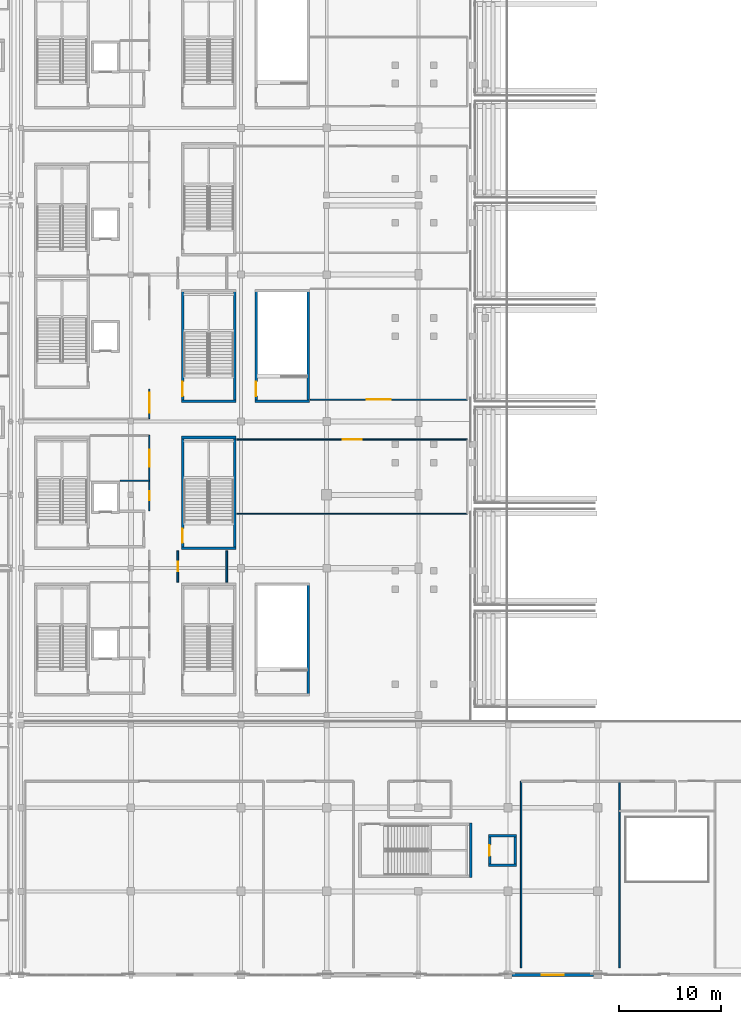
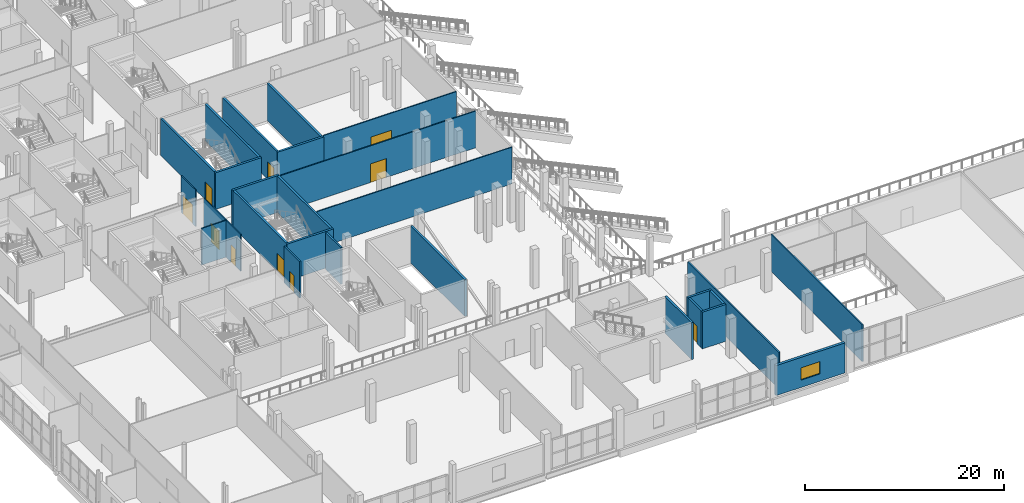
# One storey, part 72 of 129: 28 walls, 10 doors, 1 window, 11 openings.
"""IFC4 building model written with IfcOpenShell, lengths in metres."""

import ifcopenshell
import ifcopenshell.guid

model = None  # the IFC model being written
_history = None  # IfcOwnerHistory: only IFC2X3 demands one
_inside = {}  # id of a spatial element -> (the spatial element, [elements in it])
_under = {}  # id of a project, library or spatial element -> (it, [spatial elements below it])
_declared = {}  # id of a project -> (the project, [libraries it declares])
_typed = {}  # id of a type object -> (the type object, [elements of that type])
_made_of = {}  # id of a material, layer set ... -> (it, [elements and type objects made of it])


def new_model(schema):
    """Start an empty IFC model of exactly this schema.

    Asked for "IFC4X3", IfcOpenShell would pick the latest addendum, in which some entities
    have other attributes; the version numbers below select the first issue.
    IFC2X3 requires an IfcOwnerHistory on every rooted entity: one is made here for all.
    """
    global model, _history
    if schema == "IFC4X3":
        model = ifcopenshell.file(schema_version=(4, 3, 0, 0))
    else:
        model = ifcopenshell.file(schema=schema)
    _inside.clear()
    _under.clear()
    _declared.clear()
    _typed.clear()
    _made_of.clear()
    _history = None
    if model.schema == "IFC2X3":
        org = make("IfcOrganization", Name="unknown")
        user = make(
            "IfcPersonAndOrganization",
            ThePerson=make("IfcPerson", FamilyName="unknown"),
            TheOrganization=org,
        )
        app = make(
            "IfcApplication",
            ApplicationDeveloper=org,
            Version="unknown",
            ApplicationFullName="unknown",
            ApplicationIdentifier="unknown",
        )
        _history = make(
            "IfcOwnerHistory",
            OwningUser=user,
            OwningApplication=app,
            ChangeAction="ADDED",
            CreationDate=0,
        )
    return model


def make(cls, **values):
    """One entity of the class cls with the attributes given. An attribute that is None is left unset."""
    return model.create_entity(
        cls, **{name: value for name, value in values.items() if value is not None}
    )


def rooted(cls, **values):
    """An entity with a GlobalId (a new one), such as an element, a storey or a relation."""
    return make(cls, GlobalId=ifcopenshell.guid.new(), OwnerHistory=_history, **values)


def si_unit(unit_type, name, prefix=None):
    """IfcSIUnit, for example si_unit("LENGTHUNIT", "METRE", prefix="MILLI")."""
    return make("IfcSIUnit", UnitType=unit_type, Prefix=prefix, Name=name)


def assignment(units):
    """IfcUnitAssignment: the units of a project."""
    return None if units is None else make("IfcUnitAssignment", Units=units)


def point(xyz):
    """IfcCartesianPoint."""
    return None if xyz is None else make("IfcCartesianPoint", Coordinates=xyz)


def direction(xyz):
    """IfcDirection."""
    return None if xyz is None else make("IfcDirection", DirectionRatios=xyz)


def frame(location, z_axis=None, x_axis=None):
    """IfcAxis2Placement3D, a coordinate frame: its origin and axes. An axis left out is left unset."""
    return make(
        "IfcAxis2Placement3D",
        Location=point(location),
        Axis=direction(z_axis),
        RefDirection=direction(x_axis),
    )


def frame_2d(location, x_axis=None):
    """IfcAxis2Placement2D, a coordinate frame in the plane: its origin and x axis."""
    return make(
        "IfcAxis2Placement2D", Location=point(location), RefDirection=direction(x_axis)
    )


def origin():
    """The frame at (0, 0, 0) with its axes left unset."""
    return frame((0.0, 0.0, 0.0))


def place(relative_to, where):
    """IfcLocalPlacement: puts the frame where relative to a parent placement (None: the world)."""
    return make(
        "IfcLocalPlacement", PlacementRelTo=relative_to, RelativePlacement=where
    )


def context(
    kind, dimensions, precision=None, world=None, true_north=None, identifier=None
):
    """IfcGeometricRepresentationContext, for example the 3D "Model" context."""
    return make(
        "IfcGeometricRepresentationContext",
        ContextIdentifier=identifier,
        ContextType=kind,
        CoordinateSpaceDimension=dimensions,
        Precision=precision,
        WorldCoordinateSystem=world,
        TrueNorth=true_north,
    )


def subcontext(parent, identifier, kind, view, scale=None):
    """IfcGeometricRepresentationSubContext, for example "Body" below "Model"."""
    return make(
        "IfcGeometricRepresentationSubContext",
        ContextIdentifier=identifier,
        ContextType=kind,
        ParentContext=parent,
        TargetScale=scale,
        TargetView=view,
    )


def project(units=None, contexts=None):
    """IfcProject with its units and contexts."""
    return rooted(
        "IfcProject",
        Name="project",
        RepresentationContexts=contexts,
        UnitsInContext=assignment(units),
    )


def spatial(cls, under=None, at=None, **own):
    """A site, building, storey or space (cls), placed at a placement, below another one or the project."""
    s = rooted(cls, ObjectPlacement=at, **own)
    if under is not None:
        _under.setdefault(under.id(), (under, []))[1].append(s)
    return s


def profile(cls, at=None, kind="AREA", **sizes):
    """A parametric profile (cls). Its sizes go by their IFC names, for example OverallWidth=200.0."""
    return make(cls, ProfileType=kind, Position=at, **sizes)


def rectangle(**sizes):
    """IfcRectangleProfileDef."""
    return profile("IfcRectangleProfileDef", **sizes)


def extrude(swept, where, along, depth):
    """IfcExtrudedAreaSolid: the profile swept, set in the frame where, extruded along a direction by depth."""
    return make(
        "IfcExtrudedAreaSolid",
        SweptArea=swept,
        Position=where,
        ExtrudedDirection=direction(along),
        Depth=depth,
    )


def shape(context_of_items, identifier, shape_type, items):
    """IfcShapeRepresentation: the items that make up one representation, for example the "Body"."""
    return make(
        "IfcShapeRepresentation",
        ContextOfItems=context_of_items,
        RepresentationIdentifier=identifier,
        RepresentationType=shape_type,
        Items=items,
    )


def material(Name=None, Category=None):
    """IfcMaterial."""
    return make("IfcMaterial", Name=Name, Category=Category)


def layer(
    of_material, thickness, ventilated=None, Name=None, Category=None, Priority=None
):
    """IfcMaterialLayer: one layer of a wall or slab, of a material (None: an air gap)."""
    return make(
        "IfcMaterialLayer",
        Material=of_material,
        LayerThickness=thickness,
        IsVentilated=ventilated,
        Name=Name,
        Category=Category,
        Priority=Priority,
    )


def layer_set(layers, Name=None):
    """IfcMaterialLayerSet."""
    return make("IfcMaterialLayerSet", MaterialLayers=layers, LayerSetName=Name)


def made_of(thing, what):
    """Note that an element or type object is made of a material, layer set ...; save() writes the relation."""
    if what is not None:
        _made_of.setdefault(what.id(), (what, []))[1].append(thing)
    return thing


def type_object(cls, material=None, **own):
    """A type object (cls), such as IfcWallType, which elements share."""
    return made_of(rooted(cls, **own), material)


def element(
    cls,
    number,
    at=None,
    inside=None,
    cuts=None,
    type_object=None,
    material=None,
    context=None,
    identifier="Body",
    shape_type=None,
    held_by="IfcProductDefinitionShape",
    body=None,
    shapes=None,
    **own,
):
    """One element of the class cls, such as IfcWall. Its Tag is "e" and its number.

    at: its placement. inside: the storey or other place that contains it. cuts: it is an
    opening in that element (IfcRelVoidsElement). A single representation is given by context,
    identifier, shape_type and body (its items); several are given by shapes. held_by: the class
    of the entity that holds the representations. save() writes the other relations.
    """
    e = rooted(cls, Tag="e%d" % number, ObjectPlacement=at, **own)
    if body is not None:
        shapes = [shape(context, identifier, shape_type, body)]
    if shapes is not None:
        e.Representation = make(held_by, Representations=shapes)
    if inside is not None:
        _inside.setdefault(inside.id(), (inside, []))[1].append(e)
    if cuts is not None:
        rooted(
            "IfcRelVoidsElement", RelatingBuildingElement=cuts, RelatedOpeningElement=e
        )
    if type_object is not None:
        _typed.setdefault(type_object.id(), (type_object, []))[1].append(e)
    return made_of(e, material)


def fill(opening, filler):
    """IfcRelFillsElement: the door or window that sits in an opening."""
    return rooted(
        "IfcRelFillsElement",
        RelatingOpeningElement=opening,
        RelatedBuildingElement=filler,
    )


def aggregate(whole, parts):
    """IfcRelAggregates: a whole, such as a stair, and the parts it consists of."""
    return rooted("IfcRelAggregates", RelatingObject=whole, RelatedObjects=parts)


def save(model, path):
    """Write the relations noted so far, then the file.

    IfcRelAggregates (storeys below a building ...), IfcRelContainedInSpatialStructure (elements
    in a storey), IfcRelDefinesByType, IfcRelAssociatesMaterial and IfcRelDeclares: one each for
    every whole, place, type object, material and project.
    """
    for whole, parts in _under.values():
        aggregate(whole, parts)
    for where, things in _inside.values():
        rooted(
            "IfcRelContainedInSpatialStructure",
            RelatedElements=things,
            RelatingStructure=where,
        )
    for kind, things in _typed.values():
        rooted("IfcRelDefinesByType", RelatedObjects=things, RelatingType=kind)
    for what, things in _made_of.values():
        rooted("IfcRelAssociatesMaterial", RelatedObjects=things, RelatingMaterial=what)
    for by, libraries in _declared.values():
        rooted("IfcRelDeclares", RelatingContext=by, RelatedDefinitions=libraries)
    model.write(path)


model = new_model("IFC4")

# Units and contexts
model_context = context("Model", 3, precision=1e-05, world=origin(), true_north=direction((0.0, 1.0)))
body_context = subcontext(model_context, "Body", "Model", "MODEL_VIEW")
ifc_project = project(units=[si_unit("LENGTHUNIT", "METRE"), si_unit("AREAUNIT", "SQUARE_METRE"), si_unit("VOLUMEUNIT", "CUBIC_METRE"), si_unit("PLANEANGLEUNIT", "RADIAN"), si_unit("MASSUNIT", "GRAM", prefix="KILO")], contexts=[model_context])

# Site, building, storey
site_placement = place(None, origin())
site = spatial("IfcSite", under=ifc_project, at=site_placement, CompositionType="ELEMENT")
building_placement = place(site_placement, origin())
building = spatial("IfcBuilding", under=site, at=building_placement, Name="Koshinbarg Plaza Stadium", CompositionType="ELEMENT")
storey_placement = place(building_placement, frame((0.0, 0.0, 5.39990234375)))
storey = spatial("IfcBuildingStorey", under=building, at=storey_placement, Name="L01", CompositionType="ELEMENT", Elevation=5.39990234375)

# Walls
ifc_material_1 = material(Name="Concrete C40/50", Category="concrete")
ifc_layer_1 = layer(ifc_material_1, 0.25)
ifc_layer_set_1 = layer_set([ifc_layer_1], Name="Concrete C40/50")
wall_type_1 = type_object("IfcWallType", Name="WL-CORE-250", PredefinedType="SHEAR", material=ifc_layer_set_1)
for number, where, z_axis, x_axis, name in (
    (1, (68.72509765625, 9.550048828125, 0.0), (0.0, 0.0, 1.0), (0.0, 1.0, 0.0), "L01 core stair shear wall C13-far IWL-L01-0295"),
    (2, (40.35009765625, 41.875, 0.0), (0.0, 0.0, 1.0), (1.0, 0.0, 0.0), "L01 vomitory stair shear wall VX02-near IWL-L01-0374"),
    (3, (45.719970703125, 52.72509765625, 0.0), (0.0, 0.0, 1.0), (-1.0, 0.0, 0.0), "L01 vomitory stair shear wall VX02-far IWL-L01-0375"),
):
    element("IfcWall", number, at=place(storey_placement, frame(where, z_axis=z_axis, x_axis=x_axis)), inside=storey, type_object=wall_type_1, Name=name, PredefinedType="SHEAR", context=body_context, shape_type="SweptSolid", body=[
        extrude(rectangle(XDim=5.369873046875, YDim=0.25, at=frame_2d((2.68505859375, 0.0))), origin(), (0.0, 0.0, 1.0), 4.5),
    ])

# Wall, opening, door
wall_1_placement = place(storey_placement, frame((40.47509765625, 41.875, 0.0), z_axis=(0.0, 0.0, 1.0), x_axis=(0.0, 1.0, 0.0)))
wall_1 = element("IfcWall", 4, at=wall_1_placement, inside=storey, type_object=wall_type_1, Name="L01 vomitory stair shear wall VX02-left IWL-L01-0376", PredefinedType="SHEAR", context=body_context, shape_type="SweptSolid", body=[
    extrude(rectangle(XDim=10.85009765625, YDim=0.25, at=frame_2d((5.425048828125, 0.0))), origin(), (0.0, 0.0, 1.0), 4.5),
])
opening_1_placement = place(wall_1_placement, frame((0.52001953125, 0.0, 0.0)))
opening_1 = element("IfcOpeningElement", 5, at=opening_1_placement, cuts=wall_1, Name="Opening D-0156", PredefinedType="OPENING", context=body_context, shape_type="SweptSolid", body=[
    extrude(rectangle(XDim=1.39990234375, YDim=2.14990234375, at=frame_2d((0.699951171875, 1.074951171875))), frame((0.0, 0.135009765625, 0.0), z_axis=(0.0, -1.0, 0.0), x_axis=(1.0, 0.0, 0.0)), (0.0, 0.0, 1.0), 0.27001953125),
])
ifc_material_2 = material(Name="Painted galvanized steel fire door", Category="steel")
door_type_1 = type_object("IfcDoorType", Name="DR-STAIR-1400", OperationType="NOTDEFINED", PredefinedType="DOOR", material=ifc_material_2)
door_1_placement = place(opening_1_placement, frame((1.39990234375, 0.0, 0.0), z_axis=(0.0, 0.0, 1.0), x_axis=(-1.0, 0.0, 0.0)))
door_1 = element("IfcDoor", 6, at=door_1_placement, inside=storey, type_object=door_type_1, Name="L01 vomitory exit stair door VX02", OperationType="SINGLE_SWING_RIGHT", OverallHeight=2.14990234375, OverallWidth=1.39990234375, PredefinedType="DOOR", context=body_context, shape_type="SweptSolid", body=[
    extrude(rectangle(XDim=1.39990234375, YDim=2.14990234375, at=frame_2d((0.699951171875, 1.074951171875))), frame((0.0, 0.02490234375, 0.0), z_axis=(0.0, -1.0, 0.0), x_axis=(1.0, 0.0, 0.0)), (0.0, 0.0, 1.0), 0.050048828125),
])
fill(opening_1, door_1)

# Walls
wall_2_placement = place(storey_placement, frame((45.594970703125, 41.875, 0.0), z_axis=(0.0, 0.0, 1.0), x_axis=(0.0, 1.0, 0.0)))
element("IfcWall", 7, at=wall_2_placement, inside=storey, type_object=wall_type_1, Name="L01 vomitory stair shear wall VX02-right IWL-L01-0377", PredefinedType="SHEAR", context=body_context, shape_type="SweptSolid", body=[
    extrude(rectangle(XDim=10.85009765625, YDim=0.25, at=frame_2d((5.425048828125, 0.0))), origin(), (0.0, 0.0, 1.0), 4.5),
])
wall_3_placement = place(storey_placement, frame((40.35009765625, 56.27490234375, 0.0), z_axis=(0.0, 0.0, 1.0), x_axis=(1.0, 0.0, 0.0)))
element("IfcWall", 8, at=wall_3_placement, inside=storey, type_object=wall_type_1, Name="L01 vomitory stair shear wall VX03-near IWL-L01-0390", PredefinedType="SHEAR", context=body_context, shape_type="SweptSolid", body=[
    extrude(rectangle(XDim=5.369873046875, YDim=0.25, at=frame_2d((2.68505859375, 0.0))), origin(), (0.0, 0.0, 1.0), 4.5),
])

# Wall, opening, door
wall_4_placement = place(storey_placement, frame((40.47509765625, 56.27490234375, 0.0), z_axis=(0.0, 0.0, 1.0), x_axis=(0.0, 1.0, 0.0)))
wall_4 = element("IfcWall", 9, at=wall_4_placement, inside=storey, type_object=wall_type_1, Name="L01 vomitory stair shear wall VX03-left IWL-L01-0392", PredefinedType="SHEAR", context=body_context, shape_type="SweptSolid", body=[
    extrude(rectangle(XDim=10.85009765625, YDim=0.25, at=frame_2d((5.425048828125, 0.0))), origin(), (0.0, 0.0, 1.0), 4.5),
])
opening_2_placement = place(wall_4_placement, frame((0.52001953125, 0.0, 0.0)))
opening_2 = element("IfcOpeningElement", 10, at=opening_2_placement, cuts=wall_4, Name="Opening D-0160", PredefinedType="OPENING", context=body_context, shape_type="SweptSolid", body=[
    extrude(rectangle(XDim=1.39990234375, YDim=2.14990234375, at=frame_2d((0.699951171875, 1.074951171875))), frame((0.0, 0.135009765625, 0.0), z_axis=(0.0, -1.0, 0.0), x_axis=(1.0, 0.0, 0.0)), (0.0, 0.0, 1.0), 0.27001953125),
])
door_2_placement = place(opening_2_placement, frame((1.39990234375, 0.0, 0.0), z_axis=(0.0, 0.0, 1.0), x_axis=(-1.0, 0.0, 0.0)))
door_2 = element("IfcDoor", 11, at=door_2_placement, inside=storey, type_object=door_type_1, Name="L01 vomitory exit stair door VX03", OperationType="SINGLE_SWING_LEFT", OverallHeight=2.14990234375, OverallWidth=1.39990234375, PredefinedType="DOOR", context=body_context, shape_type="SweptSolid", body=[
    extrude(rectangle(XDim=1.39990234375, YDim=2.14990234375, at=frame_2d((0.699951171875, 1.074951171875))), frame((0.0, 0.02490234375, 0.0), z_axis=(0.0, -1.0, 0.0), x_axis=(1.0, 0.0, 0.0)), (0.0, 0.0, 1.0), 0.050048828125),
])
fill(opening_2, door_2)

# Walls
wall_5_placement = place(storey_placement, frame((45.594970703125, 56.27490234375, 0.0), z_axis=(0.0, 0.0, 1.0), x_axis=(0.0, 1.0, 0.0)))
element("IfcWall", 12, at=wall_5_placement, inside=storey, type_object=wall_type_1, Name="L01 vomitory stair shear wall VX03-right IWL-L01-0393", PredefinedType="SHEAR", context=body_context, shape_type="SweptSolid", body=[
    extrude(rectangle(XDim=10.85009765625, YDim=0.25, at=frame_2d((5.425048828125, 0.0))), origin(), (0.0, 0.0, 1.0), 4.5),
])
wall_6_placement = place(storey_placement, frame((52.794921875, 27.47509765625, 0.0), z_axis=(0.0, 0.0, 1.0), x_axis=(0.0, 1.0, 0.0)))
element("IfcWall", 13, at=wall_6_placement, inside=storey, type_object=wall_type_1, Name="L01 vomitory stair shear wall VL01-right IWL-L01-0553", PredefinedType="SHEAR", context=body_context, shape_type="SweptSolid", body=[
    extrude(rectangle(XDim=10.849853515625, YDim=0.25, at=frame_2d((5.4248046875, 0.0))), origin(), (0.0, 0.0, 1.0), 4.5),
])
wall_7_placement = place(storey_placement, frame((47.550048828125, 56.27490234375, 0.0), z_axis=(0.0, 0.0, 1.0), x_axis=(1.0, 0.0, 0.0)))
element("IfcWall", 14, at=wall_7_placement, inside=storey, type_object=wall_type_1, Name="L01 vomitory stair shear wall VL02-near IWL-L01-0558", PredefinedType="SHEAR", context=body_context, shape_type="SweptSolid", body=[
    extrude(rectangle(XDim=5.369873046875, YDim=0.25, at=frame_2d((2.68505859375, 0.0))), origin(), (0.0, 0.0, 1.0), 4.5),
])

# Wall, opening, door
wall_8_placement = place(storey_placement, frame((47.675048828125, 56.27490234375, 0.0), z_axis=(0.0, 0.0, 1.0), x_axis=(0.0, 1.0, 0.0)))
wall_8 = element("IfcWall", 15, at=wall_8_placement, inside=storey, type_object=wall_type_1, Name="L01 vomitory stair shear wall VL02-left IWL-L01-0560", PredefinedType="SHEAR", context=body_context, shape_type="SweptSolid", body=[
    extrude(rectangle(XDim=10.85009765625, YDim=0.25, at=frame_2d((5.425048828125, 0.0))), origin(), (0.0, 0.0, 1.0), 4.5),
])
opening_3_placement = place(wall_8_placement, frame((0.52001953125, 0.0, 0.0)))
opening_3 = element("IfcOpeningElement", 16, at=opening_3_placement, cuts=wall_8, Name="Opening D-0202", PredefinedType="OPENING", context=body_context, shape_type="SweptSolid", body=[
    extrude(rectangle(XDim=1.39990234375, YDim=2.14990234375, at=frame_2d((0.699951171875, 1.074951171875))), frame((0.0, 0.135009765625, 0.0), z_axis=(0.0, -1.0, 0.0), x_axis=(1.0, 0.0, 0.0)), (0.0, 0.0, 1.0), 0.27001953125),
])
door_3_placement = place(opening_3_placement, frame((1.39990234375, 0.0, 0.0), z_axis=(0.0, 0.0, 1.0), x_axis=(-1.0, 0.0, 0.0)))
door_3 = element("IfcDoor", 17, at=door_3_placement, inside=storey, type_object=door_type_1, Name="L01 vomitory exit stair door VL02", OperationType="SINGLE_SWING_RIGHT", OverallHeight=2.14990234375, OverallWidth=1.39990234375, PredefinedType="DOOR", context=body_context, shape_type="SweptSolid", body=[
    extrude(rectangle(XDim=1.39990234375, YDim=2.14990234375, at=frame_2d((0.699951171875, 1.074951171875))), frame((0.0, 0.02490234375, 0.0), z_axis=(0.0, -1.0, 0.0), x_axis=(1.0, 0.0, 0.0)), (0.0, 0.0, 1.0), 0.050048828125),
])
fill(opening_3, door_3)

# Walls
wall_9_placement = place(storey_placement, frame((52.794921875, 56.27490234375, 0.0), z_axis=(0.0, 0.0, 1.0), x_axis=(0.0, 1.0, 0.0)))
element("IfcWall", 18, at=wall_9_placement, inside=storey, type_object=wall_type_1, Name="L01 vomitory stair shear wall VL02-right IWL-L01-0561", PredefinedType="SHEAR", context=body_context, shape_type="SweptSolid", body=[
    extrude(rectangle(XDim=10.85009765625, YDim=0.25, at=frame_2d((5.425048828125, 0.0))), origin(), (0.0, 0.0, 1.0), 4.5),
])
for number, where, z_axis, x_axis, name in (
    (19, (70.47509765625, 10.75, 0.0), (0.0, 0.0, 1.0), (1.0, 0.0, 0.0), "L01 lift shaft shear wall LP09-S IWL-L01-0994"),
    (20, (73.22509765625, 13.64990234375, 0.0), (0.0, 0.0, 1.0), (-1.0, 0.0, 0.0), "L01 lift shaft shear wall LP09-N IWL-L01-0995"),
):
    element("IfcWall", number, at=place(storey_placement, frame(where, z_axis=z_axis, x_axis=x_axis)), inside=storey, type_object=wall_type_1, Name=name, PredefinedType="SHEAR", context=body_context, shape_type="SweptSolid", body=[
        extrude(rectangle(XDim=2.75, YDim=0.25, at=frame_2d((1.375, 0.0))), origin(), (0.0, 0.0, 1.0), 4.5),
    ])

# Wall, opening, door
wall_10_placement = place(storey_placement, frame((70.60009765625, 13.64990234375, 0.0), z_axis=(0.0, 0.0, 1.0), x_axis=(0.0, -1.0, 0.0)))
wall_10 = element("IfcWall", 21, at=wall_10_placement, inside=storey, type_object=wall_type_1, Name="L01 lift shaft shear wall LP09-W IWL-L01-0996", PredefinedType="SHEAR", context=body_context, shape_type="SweptSolid", body=[
    extrude(rectangle(XDim=2.89990234375, YDim=0.25, at=frame_2d((1.449951171875, 0.0))), origin(), (0.0, 0.0, 1.0), 4.5),
])
opening_4_placement = place(wall_10_placement, frame((0.925048828125, 0.0, 0.0)))
opening_4 = element("IfcOpeningElement", 22, at=opening_4_placement, cuts=wall_10, Name="Opening D-0318", PredefinedType="OPENING", context=body_context, shape_type="SweptSolid", body=[
    extrude(rectangle(XDim=1.050048828125, YDim=2.14990234375, at=frame_2d((0.52490234375, 1.074951171875))), frame((0.0, 0.135009765625, 0.0), z_axis=(0.0, -1.0, 0.0), x_axis=(1.0, 0.0, 0.0)), (0.0, 0.0, 1.0), 0.27001953125),
])
ifc_material_3 = material(Name="Brushed stainless steel sliding lift landing door", Category="steel")
door_type_2 = type_object("IfcDoorType", Name="DR-LIFT-1050", OperationType="NOTDEFINED", PredefinedType="DOOR", material=ifc_material_3)
door_4_placement = place(opening_4_placement, origin())
door_4 = element("IfcDoor", 23, at=door_4_placement, inside=storey, type_object=door_type_2, Name="L01 lift landing door LP09", OperationType="SLIDING_TO_RIGHT", OverallHeight=2.14990234375, OverallWidth=1.050048828125, PredefinedType="DOOR", context=body_context, shape_type="SweptSolid", body=[
    extrude(rectangle(XDim=1.050048828125, YDim=2.14990234375, at=frame_2d((0.52490234375, 1.074951171875))), frame((0.0, 0.02490234375, 0.0), z_axis=(0.0, -1.0, 0.0), x_axis=(1.0, 0.0, 0.0)), (0.0, 0.0, 1.0), 0.050048828125),
])
fill(opening_4, door_4)

# Wall
wall_11_placement = place(storey_placement, frame((73.10009765625, 10.75, 0.0), z_axis=(0.0, 0.0, 1.0), x_axis=(0.0, 1.0, 0.0)))
element("IfcWall", 24, at=wall_11_placement, inside=storey, type_object=wall_type_1, Name="L01 lift shaft shear wall LP09-E IWL-L01-0997", PredefinedType="SHEAR", context=body_context, shape_type="SweptSolid", body=[
    extrude(rectangle(XDim=2.89990234375, YDim=0.25, at=frame_2d((1.449951171875, 0.0))), origin(), (0.0, 0.0, 1.0), 4.5),
])

# Wall, opening, window
ifc_material_4 = material(Name="Off-white mineral plaster insulated wall", Category="masonry")
ifc_layer_2 = layer(ifc_material_4, 0.300048828125)
ifc_layer_set_2 = layer_set([ifc_layer_2], Name="Off-white mineral plaster insulated wall")
wall_type_2 = type_object("IfcWallType", Name="WL-EXT-300", PredefinedType="SOLIDWALL", material=ifc_layer_set_2)
wall_12_placement = place(storey_placement, frame((80.780029296875, 0.0, 0.0), z_axis=(0.0, 0.0, 1.0), x_axis=(-1.0, 0.0, 0.0)))
wall_12 = element("IfcWall", 25, at=wall_12_placement, inside=storey, type_object=wall_type_2, Name="L01 exterior envelope wall EWL-L01-0105", PredefinedType="SOLIDWALL", context=body_context, shape_type="SweptSolid", body=[
    extrude(rectangle(XDim=7.985107421875, YDim=0.300048828125, at=frame_2d((3.99267578125, 0.0))), origin(), (0.0, 0.0, 1.0), 3.68017578125),
])
opening_5_placement = place(wall_12_placement, frame((2.892578125, 0.0, 0.89990234375)))
opening_5 = element("IfcOpeningElement", 26, at=opening_5_placement, cuts=wall_12, Name="Opening WN06", PredefinedType="OPENING", context=body_context, shape_type="SweptSolid", body=[
    extrude(rectangle(XDim=2.199951171875, YDim=1.5, at=frame_2d((1.10009765625, 0.75))), frame((0.0, 0.159912109375, 0.0), z_axis=(0.0, -1.0, 0.0), x_axis=(1.0, 0.0, 0.0)), (0.0, 0.0, 1.0), 0.320068359375),
])
ifc_material_5 = material(Name="Solar-control double glazing in thermally broken aluminium frame", Category="aluminium")
window_type = type_object("IfcWindowType", Name="WN-FAC-06", PartitioningType="DOUBLE_PANEL_VERTICAL", PredefinedType="WINDOW", material=ifc_material_5)
window_placement = place(opening_5_placement, origin())
window = element("IfcWindow", 27, at=window_placement, inside=storey, type_object=window_type, Name="L01 facade window 0044", OverallHeight=1.5, OverallWidth=2.199951171875, PartitioningType="SINGLE_PANEL", PredefinedType="WINDOW", context=body_context, shape_type="SweptSolid", body=[
    extrude(rectangle(XDim=2.199951171875, YDim=1.5, at=frame_2d((1.10009765625, 0.75))), frame((0.0, 0.030029296875, 0.0), z_axis=(0.0, -1.0, 0.0), x_axis=(1.0, 0.0, 0.0)), (0.0, 0.0, 1.0), 0.06005859375),
])
fill(opening_5, window)

# Wall, opening, door
ifc_material_6 = material(Name="Gypsum board metal-stud acoustic partition")
ifc_layer_3 = layer(ifc_material_6, 0.1201171875)
ifc_layer_set_3 = layer_set([ifc_layer_3], Name="Gypsum board metal-stud acoustic partition")
wall_type_3 = type_object("IfcWallType", Name="WL-PART-120", PredefinedType="PARTITIONING", material=ifc_layer_set_3)
wall_13_placement = place(storey_placement, frame((37.199951171875, 48.47998046875, 0.0), z_axis=(0.0, 0.0, 1.0), x_axis=(0.0, 1.0, 0.0)))
wall_13 = element("IfcWall", 28, at=wall_13_placement, inside=storey, type_object=wall_type_3, Name="L01 interior partition L01-79-east IWL-L01-1351", PredefinedType="PARTITIONING", context=body_context, shape_type="SweptSolid", body=[
    extrude(rectangle(XDim=4.449951171875, YDim=0.1201171875, at=frame_2d((2.22509765625, 0.0))), origin(), (0.0, 0.0, 1.0), 4.5),
])
opening_6_placement = place(wall_13_placement, frame((1.385009765625, 0.0, 0.0)))
opening_6 = element("IfcOpeningElement", 29, at=opening_6_placement, cuts=wall_13, Name="Opening D-0445", PredefinedType="OPENING", context=body_context, shape_type="SweptSolid", body=[
    extrude(rectangle(XDim=1.679931640625, YDim=2.25, at=frame_2d((0.83984375, 1.125))), frame((0.0, 0.070068359375, 0.0), z_axis=(0.0, -1.0, 0.0), x_axis=(1.0, 0.0, 0.0)), (0.0, 0.0, 1.0), 0.14013671875),
])
ifc_material_7 = material(Name="Powder-coated aluminium double glazed door", Category="aluminium")
door_type_3 = type_object("IfcDoorType", Name="DR-INT-1680x2250", OperationType="NOTDEFINED", PredefinedType="DOOR", material=ifc_material_7)
door_5_placement = place(opening_6_placement, origin())
door_5 = element("IfcDoor", 30, at=door_5_placement, inside=storey, type_object=door_type_3, Name="L01 Supporters' Club Lounge door D-0445", OperationType="DOUBLE_DOOR_SINGLE_SWING", OverallHeight=2.25, OverallWidth=1.679931640625, PredefinedType="DOOR", context=body_context, shape_type="SweptSolid", body=[
    extrude(rectangle(XDim=1.679931640625, YDim=2.25, at=frame_2d((0.83984375, 1.125))), frame((0.0, 0.02490234375, 0.0), z_axis=(0.0, -1.0, 0.0), x_axis=(1.0, 0.0, 0.0)), (0.0, 0.0, 1.0), 0.050048828125),
])
fill(opening_6, door_5)

wall_14_placement = place(storey_placement, frame((37.199951171875, 45.530029296875, 0.0), z_axis=(0.0, 0.0, 1.0), x_axis=(0.0, 1.0, 0.0)))
wall_14 = element("IfcWall", 31, at=wall_14_placement, inside=storey, type_object=wall_type_3, Name="L01 interior partition L01-80-east IWL-L01-1353", PredefinedType="PARTITIONING", context=body_context, shape_type="SweptSolid", body=[
    extrude(rectangle(XDim=2.949951171875, YDim=0.1201171875, at=frame_2d((1.47509765625, 0.0))), origin(), (0.0, 0.0, 1.0), 4.5),
])
opening_7_placement = place(wall_14_placement, frame((1.014892578125, 0.0, 0.0)))
opening_7 = element("IfcOpeningElement", 32, at=opening_7_placement, cuts=wall_14, Name="Opening D-0446", PredefinedType="OPENING", context=body_context, shape_type="SweptSolid", body=[
    extrude(rectangle(XDim=0.919921875, YDim=2.10009765625, at=frame_2d((0.4599609375, 1.050048828125))), frame((0.0, 0.070068359375, 0.0), z_axis=(0.0, -1.0, 0.0), x_axis=(1.0, 0.0, 0.0)), (0.0, 0.0, 1.0), 0.14013671875),
])
ifc_material_8 = material(Name="Solid-core oak veneer acoustic door")
door_type_4 = type_object("IfcDoorType", Name="DR-INT-0920x2100", OperationType="NOTDEFINED", PredefinedType="DOOR", material=ifc_material_8)
door_6_placement = place(opening_7_placement, origin())
door_6 = element("IfcDoor", 33, at=door_6_placement, inside=storey, type_object=door_type_4, Name="L01 West Concourse Dining Hall door D-0446", OperationType="SINGLE_SWING_RIGHT", OverallHeight=2.10009765625, OverallWidth=0.919921875, PredefinedType="DOOR", context=body_context, shape_type="SweptSolid", body=[
    extrude(rectangle(XDim=0.919921875, YDim=2.10009765625, at=frame_2d((0.4599609375, 1.050048828125))), frame((0.0, 0.02490234375, 0.0), z_axis=(0.0, -1.0, 0.0), x_axis=(1.0, 0.0, 0.0)), (0.0, 0.0, 1.0), 0.050048828125),
])
fill(opening_7, door_6)

# Walls
wall_15_placement = place(storey_placement, frame((37.199951171875, 48.47998046875, 0.0), z_axis=(0.0, 0.0, 1.0), x_axis=(-1.0, 0.0, 0.0)))
element("IfcWall", 34, at=wall_15_placement, inside=storey, type_object=wall_type_3, Name="L01 interior partition L01-80-north IWL-L01-1354", PredefinedType="PARTITIONING", context=body_context, shape_type="SweptSolid", body=[
    extrude(rectangle(XDim=2.869873046875, YDim=0.1201171875, at=frame_2d((1.43505859375, 0.0))), origin(), (0.0, 0.0, 1.0), 4.5),
])
wall_16_placement = place(storey_placement, frame((45.800048828125, 45.230712890625, 0.0), z_axis=(0.0, 0.0, 1.0), x_axis=(1.0, 0.0, 0.0)))
element("IfcWall", 35, at=wall_16_placement, inside=storey, type_object=wall_type_3, Name="L01 interior partition L01-81-south IWL-L01-1355", PredefinedType="PARTITIONING", context=body_context, shape_type="SweptSolid", body=[
    extrude(rectangle(XDim=22.599853515625, YDim=0.1201171875, at=frame_2d((11.2998046875, 0.0))), origin(), (0.0, 0.0, 1.0), 4.5),
])

# Wall, opening, door
wall_17_placement = place(storey_placement, frame((68.39990234375, 52.52001953125, 0.0), z_axis=(0.0, 0.0, 1.0), x_axis=(-1.0, 0.0, 0.0)))
wall_17 = element("IfcWall", 36, at=wall_17_placement, inside=storey, type_object=wall_type_3, Name="L01 interior partition L01-81-north IWL-L01-1357", PredefinedType="PARTITIONING", context=body_context, shape_type="SweptSolid", body=[
    extrude(rectangle(XDim=22.599853515625, YDim=0.1201171875, at=frame_2d((11.2998046875, 0.0))), origin(), (0.0, 0.0, 1.0), 4.5),
])
opening_8_placement = place(wall_17_placement, frame((10.3701171875, 0.0, 0.0)))
opening_8 = element("IfcOpeningElement", 37, at=opening_8_placement, cuts=wall_17, Name="Opening D-0447", PredefinedType="OPENING", context=body_context, shape_type="SweptSolid", body=[
    extrude(rectangle(XDim=1.860107421875, YDim=2.300048828125, at=frame_2d((0.93017578125, 1.14990234375))), frame((0.0, 0.070068359375, 0.0), z_axis=(0.0, -1.0, 0.0), x_axis=(1.0, 0.0, 0.0)), (0.0, 0.0, 1.0), 0.14013671875),
])
ifc_material_9 = material(Name="Acoustic solid-core walnut veneer fire door")
door_type_5 = type_object("IfcDoorType", Name="DR-INT-1860x2300", OperationType="NOTDEFINED", PredefinedType="DOOR", material=ifc_material_9)
door_7_placement = place(opening_8_placement, origin())
door_7 = element("IfcDoor", 38, at=door_7_placement, inside=storey, type_object=door_type_5, Name="L01 First Aid Station door D-0447", OperationType="DOUBLE_DOOR_SINGLE_SWING", OverallHeight=2.300048828125, OverallWidth=1.860107421875, PredefinedType="DOOR", context=body_context, shape_type="SweptSolid", body=[
    extrude(rectangle(XDim=1.860107421875, YDim=2.300048828125, at=frame_2d((0.93017578125, 1.14990234375))), frame((0.0, 0.02490234375, 0.0), z_axis=(0.0, -1.0, 0.0), x_axis=(1.0, 0.0, 0.0)), (0.0, 0.0, 1.0), 0.050048828125),
])
fill(opening_8, door_7)

wall_18_placement = place(storey_placement, frame((37.199951171875, 54.570068359375, 0.0), z_axis=(0.0, 0.0, 1.0), x_axis=(0.0, 1.0, 0.0)))
wall_18 = element("IfcWall", 39, at=wall_18_placement, inside=storey, type_object=wall_type_3, Name="L01 interior partition L01-82-east IWL-L01-1359", PredefinedType="PARTITIONING", context=body_context, shape_type="SweptSolid", body=[
    extrude(rectangle(XDim=2.89990234375, YDim=0.1201171875, at=frame_2d((1.449951171875, 0.0))), origin(), (0.0, 0.0, 1.0), 4.5),
])
opening_9_placement = place(wall_18_placement, frame((0.580322265625, 0.0, 0.0)))
opening_9 = element("IfcOpeningElement", 40, at=opening_9_placement, cuts=wall_18, Name="Opening D-0448", PredefinedType="OPENING", context=body_context, shape_type="SweptSolid", body=[
    extrude(rectangle(XDim=1.9599609375, YDim=2.300048828125, at=frame_2d((0.97998046875, 1.14990234375))), frame((0.0, 0.070068359375, 0.0), z_axis=(0.0, -1.0, 0.0), x_axis=(1.0, 0.0, 0.0)), (0.0, 0.0, 1.0), 0.14013671875),
])
ifc_material_10 = material(Name="Bronze-anodised aluminium glazed double door", Category="aluminium")
door_type_6 = type_object("IfcDoorType", Name="DR-INT-1960x2300", OperationType="NOTDEFINED", PredefinedType="DOOR", material=ifc_material_10)
door_8_placement = place(opening_9_placement, origin())
door_8 = element("IfcDoor", 41, at=door_8_placement, inside=storey, type_object=door_type_6, Name="L01 West Concourse Dining Hall door D-0448", OperationType="DOUBLE_DOOR_SINGLE_SWING", OverallHeight=2.300048828125, OverallWidth=1.9599609375, PredefinedType="DOOR", context=body_context, shape_type="SweptSolid", body=[
    extrude(rectangle(XDim=1.9599609375, YDim=2.300048828125, at=frame_2d((0.97998046875, 1.14990234375))), frame((0.0, 0.02490234375, 0.0), z_axis=(0.0, -1.0, 0.0), x_axis=(1.0, 0.0, 0.0)), (0.0, 0.0, 1.0), 0.050048828125),
])
fill(opening_9, door_8)

wall_19_placement = place(storey_placement, frame((53.0, 56.429931640625, 0.0), z_axis=(0.0, 0.0, 1.0), x_axis=(1.0, 0.0, 0.0)))
wall_19 = element("IfcWall", 42, at=wall_19_placement, inside=storey, type_object=wall_type_3, Name="L01 interior partition L01-86-south IWL-L01-1368", PredefinedType="PARTITIONING", context=body_context, shape_type="SweptSolid", body=[
    extrude(rectangle(XDim=15.39990234375, YDim=0.1201171875, at=frame_2d((7.699951171875, 0.0))), origin(), (0.0, 0.0, 1.0), 4.5),
])
opening_10_placement = place(wall_19_placement, frame((5.53271484375, 0.0, 0.0)))
opening_10 = element("IfcOpeningElement", 43, at=opening_10_placement, cuts=wall_19, Name="Opening D-0452", PredefinedType="OPENING", context=body_context, shape_type="SweptSolid", body=[
    extrude(rectangle(XDim=2.360107421875, YDim=2.39990234375, at=frame_2d((1.18017578125, 1.199951171875))), frame((0.0, 0.070068359375, 0.0), z_axis=(0.0, -1.0, 0.0), x_axis=(1.0, 0.0, 0.0)), (0.0, 0.0, 1.0), 0.14013671875),
])
ifc_material_11 = material(Name="Powder-coated steel and tempered glass double door", Category="steel")
door_type_7 = type_object("IfcDoorType", Name="DR-INT-2360x2400", OperationType="NOTDEFINED", PredefinedType="DOOR", material=ifc_material_11)
door_9_placement = place(opening_10_placement, origin())
door_9 = element("IfcDoor", 44, at=door_9_placement, inside=storey, type_object=door_type_7, Name="L01 First Aid Station door D-0452", OperationType="DOUBLE_DOOR_SINGLE_SWING", OverallHeight=2.39990234375, OverallWidth=2.360107421875, PredefinedType="DOOR", context=body_context, shape_type="SweptSolid", body=[
    extrude(rectangle(XDim=2.360107421875, YDim=2.39990234375, at=frame_2d((1.18017578125, 1.199951171875))), frame((0.0, 0.02490234375, 0.0), z_axis=(0.0, -1.0, 0.0), x_axis=(1.0, 0.0, 0.0)), (0.0, 0.0, 1.0), 0.050048828125),
])
fill(opening_10, door_9)

# Walls
ifc_material_12 = material(Name="Double-layer gypsum acoustic suite partition")
ifc_layer_4 = layer(ifc_material_12, 0.14990234375)
ifc_layer_set_4 = layer_set([ifc_layer_4], Name="Double-layer gypsum acoustic suite partition")
wall_type_4 = type_object("IfcWallType", Name="WL-PART-150", PredefinedType="PARTITIONING", material=ifc_layer_set_4)
for number, where, z_axis, x_axis, name in (
    (45, (83.320068359375, 0.699951171875, 0.0), (0.0, 0.0, 1.0), (0.0, 1.0, 0.0), "L01 interior partition L01-143-east IWL-L01-1525"),
    (46, (73.679931640625, 19.0, 0.0), (0.0, 0.0, 1.0), (0.0, -1.0, 0.0), "L01 interior partition L01-143-west IWL-L01-1527"),
):
    element("IfcWall", number, at=place(storey_placement, frame(where, z_axis=z_axis, x_axis=x_axis)), inside=storey, type_object=wall_type_4, Name=name, PredefinedType="PARTITIONING", context=body_context, shape_type="SweptSolid", body=[
        extrude(rectangle(XDim=18.300048828125, YDim=0.14990234375, at=frame_2d((9.14990234375, 0.0))), origin(), (0.0, 0.0, 1.0), 4.5),
    ])
ifc_material_13 = material(Name="Moisture-resistant tiled sanitary partition")
ifc_layer_5 = layer(ifc_material_13, 0.179931640625)
ifc_layer_set_5 = layer_set([ifc_layer_5], Name="Moisture-resistant tiled sanitary partition")
wall_type_5 = type_object("IfcWallType", Name="WL-PART-180", PredefinedType="PARTITIONING", material=ifc_layer_set_5)
wall_20_placement = place(storey_placement, frame((44.800048828125, 38.530029296875, 0.0), z_axis=(0.0, 0.0, 1.0), x_axis=(0.0, 1.0, 0.0)))
element("IfcWall", 47, at=wall_20_placement, inside=storey, type_object=wall_type_5, Name="L01 interior partition L01-71-east IWL-L01-1339", PredefinedType="PARTITIONING", context=body_context, shape_type="SweptSolid", body=[
    extrude(rectangle(XDim=3.070068359375, YDim=0.179931640625, at=frame_2d((1.53515625, 0.0))), origin(), (0.0, 0.0, 1.0), 4.5),
])

# Wall, opening, door
wall_21_placement = place(storey_placement, frame((40.0, 41.60009765625, 0.0), z_axis=(0.0, 0.0, 1.0), x_axis=(0.0, -1.0, 0.0)))
wall_21 = element("IfcWall", 48, at=wall_21_placement, inside=storey, type_object=wall_type_5, Name="L01 interior partition L01-71-west IWL-L01-1340", PredefinedType="PARTITIONING", context=body_context, shape_type="SweptSolid", body=[
    extrude(rectangle(XDim=3.070068359375, YDim=0.179931640625, at=frame_2d((1.53515625, 0.0))), origin(), (0.0, 0.0, 1.0), 4.5),
])
opening_11_placement = place(wall_21_placement, frame((1.074951171875, 0.0, 0.0)))
opening_11 = element("IfcOpeningElement", 49, at=opening_11_placement, cuts=wall_21, Name="Opening D-0439", PredefinedType="OPENING", context=body_context, shape_type="SweptSolid", body=[
    extrude(rectangle(XDim=0.919921875, YDim=2.10009765625, at=frame_2d((0.4599609375, 1.050048828125))), frame((0.0, 0.099853515625, 0.0), z_axis=(0.0, -1.0, 0.0), x_axis=(1.0, 0.0, 0.0)), (0.0, 0.0, 1.0), 0.199951171875),
])
door_10_placement = place(opening_11_placement, origin())
door_10 = element("IfcDoor", 50, at=door_10_placement, inside=storey, type_object=door_type_4, Name="L01 Public Restroom 1 door D-0439", OperationType="SINGLE_SWING_LEFT", OverallHeight=2.10009765625, OverallWidth=0.919921875, PredefinedType="DOOR", context=body_context, shape_type="SweptSolid", body=[
    extrude(rectangle(XDim=0.919921875, YDim=2.10009765625, at=frame_2d((0.4599609375, 1.050048828125))), frame((0.0, 0.02490234375, 0.0), z_axis=(0.0, -1.0, 0.0), x_axis=(1.0, 0.0, 0.0)), (0.0, 0.0, 1.0), 0.050048828125),
])
fill(opening_11, door_10)

save(model, "model.ifc")
